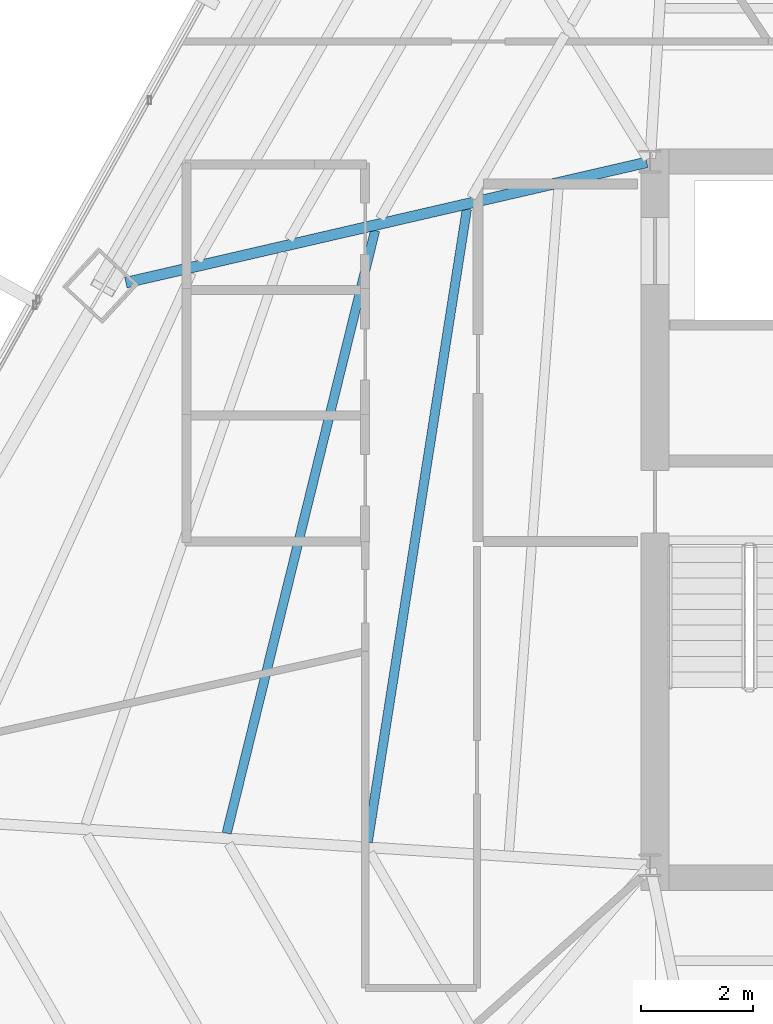
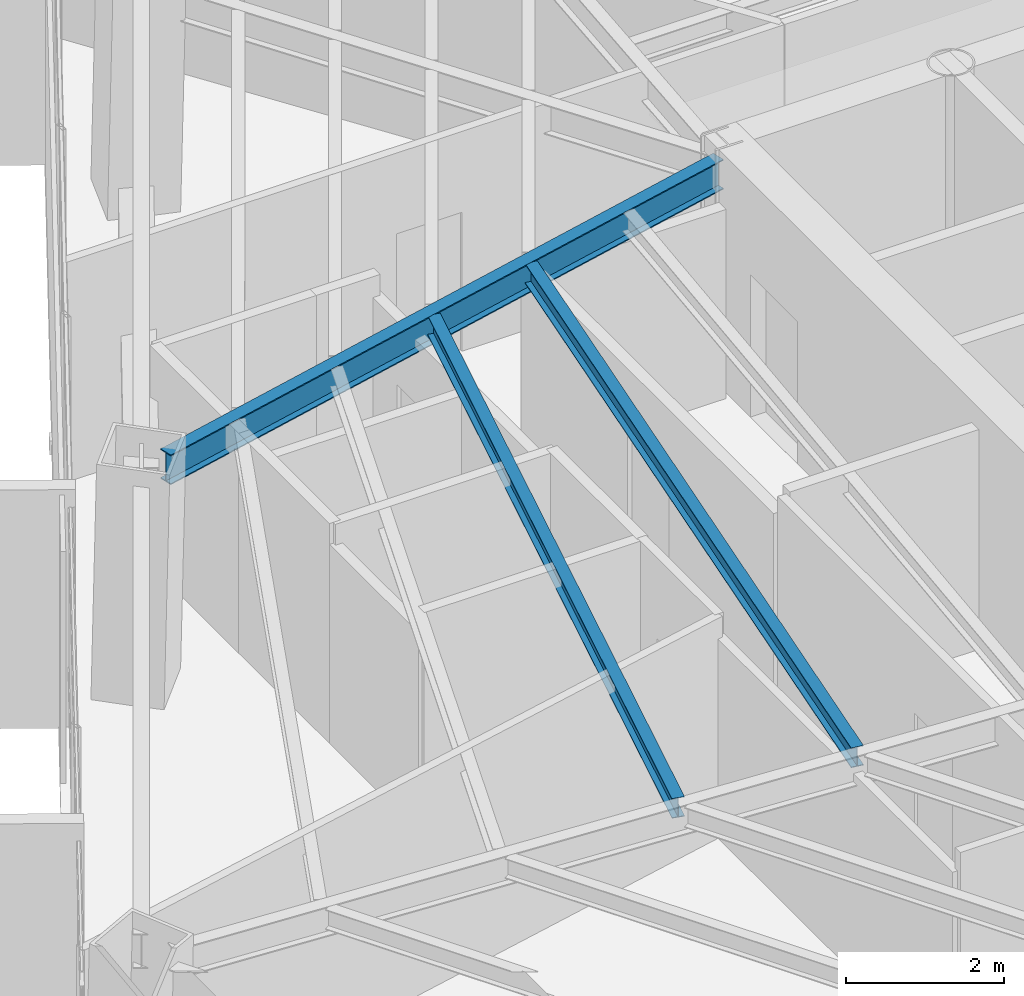
# One storey, part 13 of 39: 3 beams.
"""IFC4 building model written with IfcOpenShell, lengths in metres."""

from ifc_helpers import new_model, si_unit, direction, frame, origin, origin_2d, place, context, subcontext, project, spatial, i_section, extrude, source, transform, mapped, material, material_profile, profile_set, type_object, type_shapes, element, save


model = new_model("IFC4")

# Units and contexts
model_context = context("Model", 3, precision=1e-05, world=origin(), true_north=direction((0.0, 1.0)))
body_context = subcontext(model_context, "Body", "Model", "MODEL_VIEW")
ifc_project = project(units=[si_unit("LENGTHUNIT", "METRE"), si_unit("AREAUNIT", "SQUARE_METRE"), si_unit("VOLUMEUNIT", "CUBIC_METRE"), si_unit("PLANEANGLEUNIT", "RADIAN"), si_unit("MASSUNIT", "GRAM", prefix="KILO")], contexts=[model_context])

# Site, building, storey
site_placement = place(None, origin())
site = spatial("IfcSite", under=ifc_project, at=site_placement, CompositionType="ELEMENT")
building_placement = place(site_placement, origin())
building = spatial("IfcBuilding", under=site, at=building_placement, Name="Caelisora Broadcast Tower", CompositionType="ELEMENT")
storey_placement = place(building_placement, frame((0.0, 0.0, 142.75)))
storey = spatial("IfcBuildingStorey", under=building, at=storey_placement, Name="L37", CompositionType="ELEMENT", Elevation=142.75)

# Beams
ifc_material = material(Name="Steel Grade 350 (AS/NZS 3679.1)", Category="steel")
ifc_material_profile_1 = material_profile(ifc_material, i_section(OverallWidth=0.19091796875, OverallDepth=0.46044921875, WebThickness=0.010009765625, FlangeThickness=0.01611328125, at=origin_2d()), Name="Steel Grade 350 (AS/NZS 3679.1)")
ifc_profile_set_1 = profile_set([ifc_material_profile_1], Name="Steel Grade 350 (AS/NZS 3679.1)")
beam_type_1 = type_object("IfcBeamType", Name="PG06", PredefinedType="BEAM", material=ifc_profile_set_1)
shared_shape_1 = source(origin(), body_context, "Body", "SweptSolid", [
    extrude(i_section(OverallWidth=0.19091796875, OverallDepth=0.46044921875, WebThickness=0.010009765625, FlangeThickness=0.01611328125, at=origin_2d()), origin(), (0.0, 0.0, 1.0), 9.572998046875),
])
type_shapes(beam_type_1, [shared_shape_1])
beam_1_placement = place(storey_placement, frame((30.44140625, 29.986572265625, 3.169921875), z_axis=(-0.974343893225, -0.225064385754, 0.0), x_axis=(0.225064385754, -0.974343893225, 0.0)))
element("IfcBeam", 1, at=beam_1_placement, inside=storey, type_object=beam_type_1, Name="L37 beam PG06", PredefinedType="BEAM", context=body_context, shape_type="MappedRepresentation", body=[
    mapped(shared_shape_1, transform((0.0, 0.0, 0.0), scale=1.0)),
])
ifc_material_profile_2 = material_profile(ifc_material, i_section(OverallWidth=0.166015625, OverallDepth=0.30712890625, WebThickness=0.006591796875, FlangeThickness=0.01171875, at=origin_2d()), Name="Steel Grade 350 (AS/NZS 3679.1)")
ifc_profile_set_2 = profile_set([ifc_material_profile_2], Name="Steel Grade 350 (AS/NZS 3679.1)")
beam_type_2 = type_object("IfcBeamType", Name="SB03", PredefinedType="JOIST", material=ifc_profile_set_2)
shared_shape_2 = source(origin(), body_context, "Body", "SweptSolid", [
    extrude(i_section(OverallWidth=0.166015625, OverallDepth=0.30712890625, WebThickness=0.006591796875, FlangeThickness=0.01171875, at=origin_2d()), origin(), (0.0, 0.0, 1.0), 11.471435546875),
])
beam_2_placement = place(storey_placement, frame((27.219482421875, 29.147216796875, 3.246337890625), z_axis=(-0.154617089586, -0.987974471132, 0.0), x_axis=(0.987974471132, -0.154617089586, 0.0)))
element("IfcBeam", 2, at=beam_2_placement, inside=storey, type_object=beam_type_2, Name="L37 beam SB03", PredefinedType="JOIST", context=body_context, shape_type="MappedRepresentation", body=[
    mapped(shared_shape_2, transform((0.0, 0.0, 0.0), scale=1.0)),
])
shared_shape_3 = source(origin(), body_context, "Body", "SweptSolid", [
    extrude(i_section(OverallWidth=0.166015625, OverallDepth=0.30712890625, WebThickness=0.006591796875, FlangeThickness=0.01171875, at=origin_2d()), origin(), (0.0, 0.0, 1.0), 11.1162109375),
])
type_shapes(beam_type_2, [shared_shape_2, shared_shape_3])
beam_3_placement = place(storey_placement, frame((25.577392578125, 28.767822265625, 3.246337890625), z_axis=(-0.2391079311, -0.970992995487, 0.0), x_axis=(0.970992995487, -0.2391079311, 0.0)))
element("IfcBeam", 3, at=beam_3_placement, inside=storey, type_object=beam_type_2, Name="L37 beam SB03", PredefinedType="JOIST", context=body_context, shape_type="MappedRepresentation", body=[
    mapped(shared_shape_3, transform((0.0, 0.0, 0.0), scale=1.0)),
])

save(model, "model.ifc")
